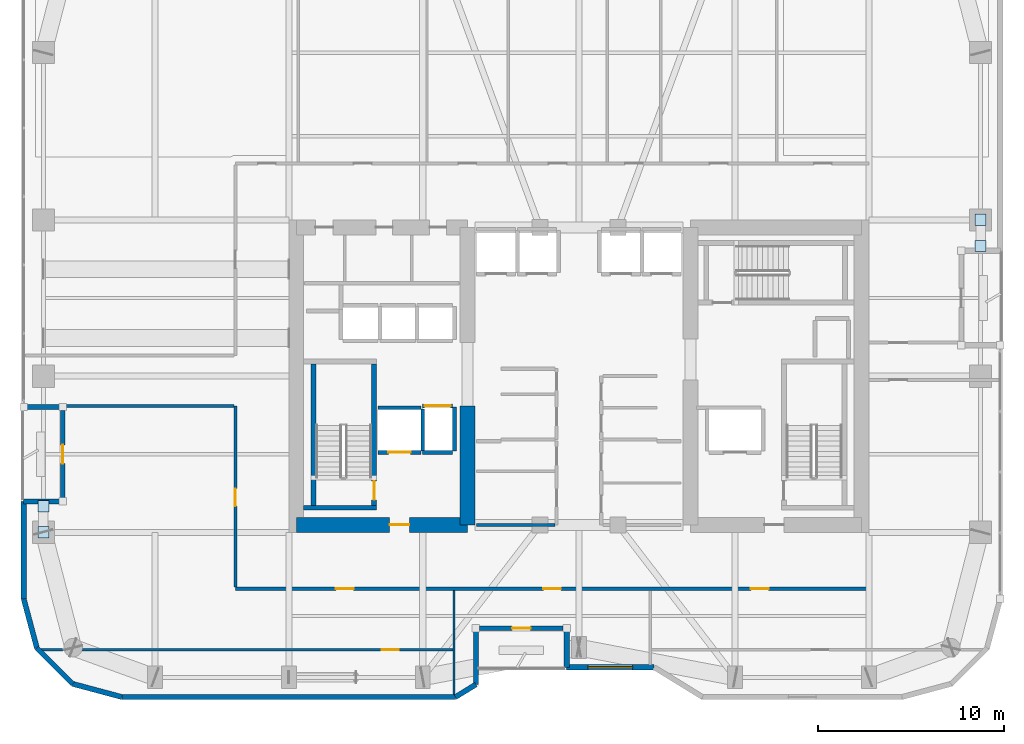
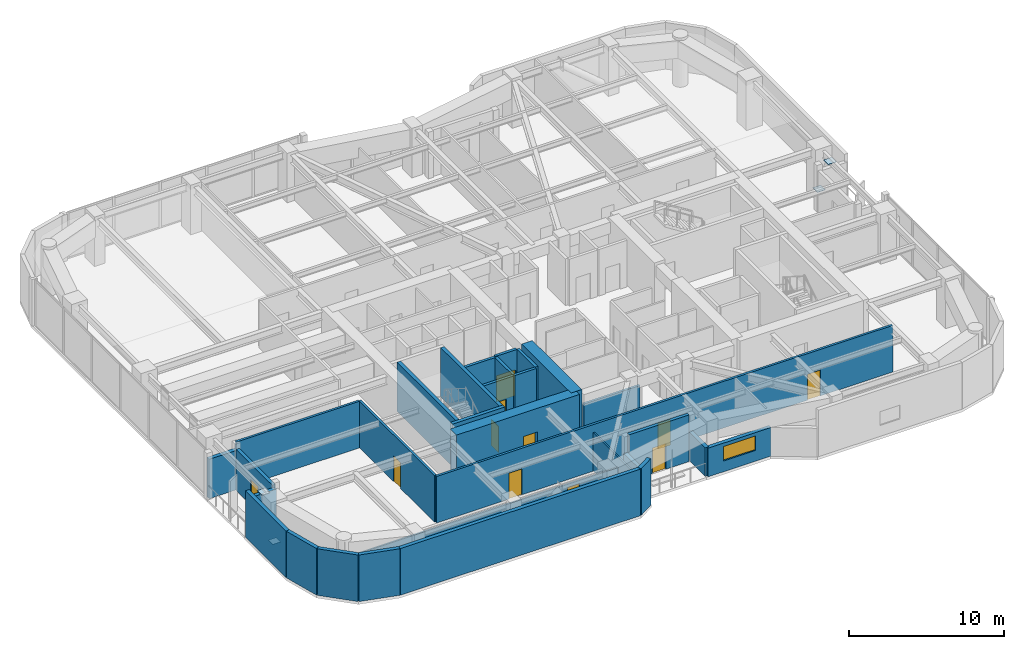
# One storey, part 24 of 30: 30 walls, 11 doors, 4 plates, 1 window, 12 openings.
"""IFC4 building model written with IfcOpenShell, lengths in metres."""

from ifc_helpers import new_model, si_unit, direction, frame, frame_2d, origin, origin_2d, place, context, subcontext, project, spatial, rectangle, extrude, material, layer, layer_set, type_object, element, fill, save


model = new_model("IFC4")

# Units and contexts
model_context = context("Model", 3, precision=1e-05, world=origin(), true_north=direction((0.0, 1.0)))
body_context = subcontext(model_context, "Body", "Model", "MODEL_VIEW")
ifc_project = project(units=[si_unit("LENGTHUNIT", "METRE"), si_unit("AREAUNIT", "SQUARE_METRE"), si_unit("VOLUMEUNIT", "CUBIC_METRE"), si_unit("PLANEANGLEUNIT", "RADIAN"), si_unit("MASSUNIT", "GRAM", prefix="KILO")], contexts=[model_context])

# Site, building, storey
site_placement = place(None, origin())
site = spatial("IfcSite", under=ifc_project, at=site_placement, CompositionType="ELEMENT")
building_placement = place(site_placement, origin())
building = spatial("IfcBuilding", under=site, at=building_placement, Name="Kiyonajd Concourse Tower", CompositionType="ELEMENT")
storey_placement = place(building_placement, frame((0.0, 0.0, 177.89990234375)))
storey = spatial("IfcBuildingStorey", under=building, at=storey_placement, Name="L45", CompositionType="ELEMENT", Elevation=177.89990234375)

# Plates
ifc_material_1 = material(Name="Steel ASTM A572 Grade 50", Category="steel")
ifc_layer_1 = layer(ifc_material_1, 0.028076171875)
ifc_layer_set_1 = layer_set([ifc_layer_1], Name="Steel ASTM A572 Grade 50")
plate_type = type_object("IfcPlateType", Name="PL-CAP-450", PredefinedType="USERDEFINED", material=ifc_layer_set_1)
for number, where, z_axis, x_axis, name in (
    (1, (19.199951171875, 27.595458984375, 0.27587890625), (0.0, 0.0, 1.0), (1.0, 0.0, 0.0), "L45 Hollow Brace End Cap Plate PBW"),
    (2, (19.199951171875, 29.004638671875, 3.326171875), (0.0, 0.0, 1.0), (1.0, 0.0, 0.0), "L45 Hollow Brace Top Cap Plate PBW"),
    (3, (69.60009765625, 44.404541015625, 0.27587890625), (0.0, 0.0, 1.0), (1.0, 0.0, 0.0), "L45 Hollow Brace End Cap Plate PBE"),
    (4, (69.60009765625, 42.995361328125, 3.326171875), (0.0, 0.0, 1.0), (1.0, 0.0, 0.0), "L45 Hollow Brace Top Cap Plate PBE"),
):
    element("IfcPlate", number, at=place(storey_placement, frame(where, z_axis=z_axis, x_axis=x_axis)), inside=storey, type_object=plate_type, Name=name, ObjectType="CAP PLATE", PredefinedType="USERDEFINED", context=body_context, shape_type="SweptSolid", body=[
        extrude(rectangle(XDim=0.60791015625, YDim=0.60791015625, at=origin_2d()), origin(), (0.0, 0.0, 1.0), 0.028076171875),
    ])

# Wall
ifc_material_2 = material(Name="Concrete C70/85", Category="concrete")
ifc_layer_2 = layer(ifc_material_2, 0.800048828125)
ifc_layer_set_2 = layer_set([ifc_layer_2], Name="Concrete C70/85")
wall_type_1 = type_object("IfcWallType", Name="WL-CORE-800", PredefinedType="SHEAR", material=ifc_layer_set_2)
wall_1_placement = place(storey_placement, frame((42.0, 28.0, 0.0), z_axis=(0.0, 0.0, 1.0), x_axis=(0.0, 1.0, 0.0)))
element("IfcWall", 5, at=wall_1_placement, inside=storey, type_object=wall_type_1, Name="L45 West Core Inner South Shear Wall", PredefinedType="SHEAR", context=body_context, shape_type="SweptSolid", body=[
    extrude(rectangle(XDim=6.39990234375, YDim=0.800048828125, at=frame_2d((3.199951171875, 0.0))), origin(), (0.0, 0.0, 1.0), 3.900146484375),
])

# Wall, opening, door
wall_2_placement = place(storey_placement, frame((32.800048828125, 28.0, 0.0), z_axis=(0.0, 0.0, 1.0), x_axis=(1.0, 0.0, 0.0)))
wall_2 = element("IfcWall", 6, at=wall_2_placement, inside=storey, type_object=wall_type_1, Name="L45 West Core South Shear Wall", PredefinedType="SHEAR", context=body_context, shape_type="SweptSolid", body=[
    extrude(rectangle(XDim=9.199951171875, YDim=0.800048828125, at=frame_2d((4.60009765625, 0.0))), origin(), (0.0, 0.0, 1.0), 3.900146484375),
])
opening_1_placement = place(wall_2_placement, frame((5.02490234375, 0.0, 0.0)))
opening_1 = element("IfcOpeningElement", 7, at=opening_1_placement, cuts=wall_2, Name="Opening DF5", PredefinedType="OPENING", context=body_context, shape_type="SweptSolid", body=[
    extrude(rectangle(XDim=1.050048828125, YDim=2.0400390625, at=frame_2d((0.52490234375, 1.02001953125))), frame((0.0, 0.409912109375, 0.0), z_axis=(0.0, -1.0, 0.0), x_axis=(1.0, 0.0, 0.0)), (0.0, 0.0, 1.0), 0.820068359375),
])
ifc_material_3 = material(Name="Brushed Stainless Steel Cab Assembly", Category="steel")
door_type_1 = type_object("IfcDoorType", Name="DR-FD45-1050", OperationType="NOTDEFINED", PredefinedType="DOOR", material=ifc_material_3)
door_1_placement = place(opening_1_placement, origin())
door_1 = element("IfcDoor", 8, at=door_1_placement, inside=storey, type_object=door_type_1, Name="L45 Firefighting Lift Lobby W Smoke Door", OperationType="SINGLE_SWING_LEFT", OverallHeight=2.0400390625, OverallWidth=1.050048828125, PredefinedType="DOOR", context=body_context, shape_type="SweptSolid", body=[
    extrude(rectangle(XDim=1.050048828125, YDim=2.0400390625, at=frame_2d((0.52490234375, 1.02001953125))), frame((0.0, 0.02490234375, 0.0), z_axis=(0.0, -1.0, 0.0), x_axis=(1.0, 0.0, 0.0)), (0.0, 0.0, 1.0), 0.050048828125),
])
fill(opening_1, door_1)

# Walls
ifc_material_4 = material(Name="Precast concrete C50/60", Category="concrete")
ifc_layer_3 = layer(ifc_material_4, 0.280029296875)
ifc_layer_set_3 = layer_set([ifc_layer_3], Name="Precast concrete C50/60")
wall_type_2 = type_object("IfcWallType", Name="WL-EXT-280", PredefinedType="SOLIDWALL", material=ifc_layer_set_3)
wall_3_placement = place(storey_placement, frame((18.848388671875, 21.37255859375, 0.0), z_axis=(0.0, 0.0, 1.0), x_axis=(-0.258672222976, 0.9659651552, 0.0)))
element("IfcWall", 9, at=wall_3_placement, inside=storey, type_object=wall_type_2, Name="L45 Exterior Concrete Frame Wall 00", PredefinedType="SOLIDWALL", context=body_context, shape_type="SweptSolid", body=[
    extrude(rectangle(XDim=2.739013671875, YDim=0.280029296875, at=frame_2d((1.36962890625, 0.0))), origin(), (0.0, 0.0, 1.0), 3.68017578125),
])
wall_4_placement = place(storey_placement, frame((18.139892578125, 24.018310546875, 0.0), z_axis=(0.0, 0.0, 1.0), x_axis=(0.0, 1.0, 0.0)))
element("IfcWall", 10, at=wall_4_placement, inside=storey, type_object=wall_type_2, Name="L45 Exterior Concrete Frame Wall 01", PredefinedType="SOLIDWALL", context=body_context, shape_type="SweptSolid", body=[
    extrude(rectangle(XDim=5.24169921875, YDim=0.280029296875, at=frame_2d((2.620849609375, 0.0))), origin(), (0.0, 0.0, 1.0), 3.68017578125),
])
for number, where, z_axis, x_axis, name in (
    (11, (18.139892578125, 29.260009765625, 0.0), (0.0, 0.0, 1.0), (1.0, 0.0, 0.0), "L45 Exterior Concrete Frame Wall 02"),
    (12, (20.239990234375, 34.340087890625, 0.0), (0.0, 0.0, 1.0), (-1.0, 0.0, 0.0), "L45 Exterior Concrete Frame Wall 04"),
):
    element("IfcWall", number, at=place(storey_placement, frame(where, z_axis=z_axis, x_axis=x_axis)), inside=storey, type_object=wall_type_2, Name=name, PredefinedType="SOLIDWALL", context=body_context, shape_type="SweptSolid", body=[
        extrude(rectangle(XDim=2.10009765625, YDim=0.280029296875, at=frame_2d((1.050048828125, 0.0))), origin(), (0.0, 0.0, 1.0), 3.1162109375),
    ])

# Wall, opening, window
wall_5_placement = place(storey_placement, frame((52.03955078125, 20.340087890625, 0.0), z_axis=(0.0, 0.0, 1.0), x_axis=(-1.0, 0.0, 0.0)))
wall_5 = element("IfcWall", 13, at=wall_5_placement, inside=storey, type_object=wall_type_2, Name="L45 Exterior Concrete Frame Wall 30", PredefinedType="SOLIDWALL", context=body_context, shape_type="SweptSolid", body=[
    extrude(rectangle(XDim=4.699462890625, YDim=0.280029296875, at=frame_2d((2.349609375, 0.0))), origin(), (0.0, 0.0, 1.0), 2.26513671875),
])
opening_2_placement = place(wall_5_placement, frame((1.155029296875, 0.0, 0.85009765625)))
opening_2 = element("IfcOpeningElement", 14, at=opening_2_placement, cuts=wall_5, Name="Opening WN4", PredefinedType="OPENING", context=body_context, shape_type="SweptSolid", body=[
    extrude(rectangle(XDim=2.39990234375, YDim=1.14990234375, at=frame_2d((1.199951171875, 0.574951171875))), frame((0.0, 0.14990234375, 0.0), z_axis=(0.0, -1.0, 0.0), x_axis=(1.0, 0.0, 0.0)), (0.0, 0.0, 1.0), 0.300048828125),
])
ifc_material_5 = material(Name="Double Low-E Insulated Glass", Category="glass")
window_type = type_object("IfcWindowType", Name="WN-VIS-2400x1150", PartitioningType="SINGLE_PANEL", PredefinedType="WINDOW", material=ifc_material_5)
window_placement = place(opening_2_placement, origin())
window = element("IfcWindow", 15, at=window_placement, inside=storey, type_object=window_type, Name="L45 Modular Facade Vision Window 30", OverallHeight=1.14990234375, OverallWidth=2.39990234375, PartitioningType="SINGLE_PANEL", PredefinedType="WINDOW", context=body_context, shape_type="SweptSolid", body=[
    extrude(rectangle(XDim=2.39990234375, YDim=1.14990234375, at=frame_2d((1.199951171875, 0.574951171875))), frame((0.0, 0.030029296875, 0.0), z_axis=(0.0, -1.0, 0.0), x_axis=(1.0, 0.0, 0.0)), (0.0, 0.0, 1.0), 0.06005859375),
])
fill(opening_2, window)

# Walls
wall_6_placement = place(storey_placement, frame((47.340087890625, 20.340087890625, 0.0), z_axis=(0.0, 0.0, 1.0), x_axis=(0.0, 1.0, 0.0)))
element("IfcWall", 16, at=wall_6_placement, inside=storey, type_object=wall_type_2, Name="L45 Exterior Concrete Frame Wall 31", PredefinedType="SOLIDWALL", context=body_context, shape_type="SweptSolid", body=[
    extrude(rectangle(XDim=2.099853515625, YDim=0.280029296875, at=frame_2d((1.0498046875, 0.0))), origin(), (0.0, 0.0, 1.0), 2.26513671875),
])
wall_7_placement = place(storey_placement, frame((42.4599609375, 22.43994140625, 0.0), z_axis=(0.0, 0.0, 1.0), x_axis=(0.0, -1.0, 0.0)))
element("IfcWall", 17, at=wall_7_placement, inside=storey, type_object=wall_type_2, Name="L45 Exterior Concrete Frame Wall 33", PredefinedType="SOLIDWALL", context=body_context, shape_type="SweptSolid", body=[
    extrude(rectangle(XDim=3.023681640625, YDim=0.280029296875, at=frame_2d((1.51171875, 0.0))), origin(), (0.0, 0.0, 1.0), 2.26513671875),
])
wall_8_placement = place(storey_placement, frame((42.4599609375, 19.416259765625, 0.0), z_axis=(0.0, 0.0, 1.0), x_axis=(-0.851801140441, -0.523865266212, 0.0)))
element("IfcWall", 18, at=wall_8_placement, inside=storey, type_object=wall_type_2, Name="L45 Exterior Concrete Frame Wall 34", PredefinedType="SOLIDWALL", context=body_context, shape_type="SweptSolid", body=[
    extrude(rectangle(XDim=1.291015625, YDim=0.280029296875, at=frame_2d((0.6455078125, 0.0))), origin(), (0.0, 0.0, 1.0), 3.68017578125),
])
wall_9_placement = place(storey_placement, frame((41.3603515625, 18.739990234375, 0.0), z_axis=(0.0, 0.0, 1.0), x_axis=(-1.0, 0.0, 0.0)))
element("IfcWall", 19, at=wall_9_placement, inside=storey, type_object=wall_type_2, Name="L45 Exterior Concrete Frame Wall 35", PredefinedType="SOLIDWALL", context=body_context, shape_type="SweptSolid", body=[
    extrude(rectangle(XDim=17.94189453125, YDim=0.280029296875, at=frame_2d((8.970947265625, 0.0))), origin(), (0.0, 0.0, 1.0), 3.68017578125),
])
wall_10_placement = place(storey_placement, frame((23.41845703125, 18.739990234375, 0.0), z_axis=(0.0, 0.0, 1.0), x_axis=(-0.965971118627, 0.258649952598, 0.0)))
element("IfcWall", 20, at=wall_10_placement, inside=storey, type_object=wall_type_2, Name="L45 Exterior Concrete Frame Wall 36", PredefinedType="SOLIDWALL", context=body_context, shape_type="SweptSolid", body=[
    extrude(rectangle(XDim=2.7392578125, YDim=0.280029296875, at=frame_2d((1.36962890625, 0.0))), origin(), (0.0, 0.0, 1.0), 3.68017578125),
])
wall_11_placement = place(storey_placement, frame((20.7724609375, 19.448486328125, 0.0), z_axis=(0.0, 0.0, 1.0), x_axis=(-0.707106781187, 0.707106781187, 0.0)))
element("IfcWall", 21, at=wall_11_placement, inside=storey, type_object=wall_type_2, Name="L45 Exterior Concrete Frame Wall 37", PredefinedType="SOLIDWALL", context=body_context, shape_type="SweptSolid", body=[
    extrude(rectangle(XDim=2.720947265625, YDim=0.280029296875, at=frame_2d((1.3603515625, 0.0))), origin(), (0.0, 0.0, 1.0), 3.68017578125),
])

# Wall, opening, door
ifc_layer_4 = layer(ifc_material_4, 0.239990234375)
ifc_layer_set_4 = layer_set([ifc_layer_4], Name="Precast concrete C50/60")
wall_type_3 = type_object("IfcWallType", Name="WL-LOG-240", PredefinedType="SOLIDWALL", material=ifc_layer_set_4)
wall_12_placement = place(storey_placement, frame((20.239990234375, 29.455078125, 0.0), z_axis=(0.0, 0.0, 1.0), x_axis=(0.0, 1.0, 0.0)))
wall_12 = element("IfcWall", 22, at=wall_12_placement, inside=storey, type_object=wall_type_3, Name="L45 Recessed Loggia Thermal Wall LOG-W", PredefinedType="SOLIDWALL", context=body_context, shape_type="SweptSolid", body=[
    extrude(rectangle(XDim=4.68994140625, YDim=0.239990234375, at=frame_2d((2.344970703125, 0.0))), origin(), (0.0, 0.0, 1.0), 3.248046875),
])
opening_3_placement = place(wall_12_placement, frame((1.844970703125, 0.0, 0.0)))
opening_3 = element("IfcOpeningElement", 23, at=opening_3_placement, cuts=wall_12, Name="Opening DL1", PredefinedType="OPENING", context=body_context, shape_type="SweptSolid", body=[
    extrude(rectangle(XDim=1.0, YDim=2.02001953125, at=frame_2d((0.5, 1.010009765625))), frame((0.0, 0.1298828125, 0.0), z_axis=(0.0, -1.0, 0.0), x_axis=(1.0, 0.0, 0.0)), (0.0, 0.0, 1.0), 0.260009765625),
])
ifc_material_6 = material(Name="Thermally Broken Anodised Aluminium", Category="aluminium")
door_type_2 = type_object("IfcDoorType", Name="DR-LOG-1000", OperationType="NOTDEFINED", PredefinedType="DOOR", material=ifc_material_6)
door_2_placement = place(opening_3_placement, origin())
door_2 = element("IfcDoor", 24, at=door_2_placement, inside=storey, type_object=door_type_2, Name="L45 Engawa Loggia Access Door LOG-W", OperationType="SINGLE_SWING_LEFT", OverallHeight=2.02001953125, OverallWidth=1.0, PredefinedType="DOOR", context=body_context, shape_type="SweptSolid", body=[
    extrude(rectangle(XDim=1.0, YDim=2.02001953125, at=frame_2d((0.5, 1.010009765625))), frame((0.0, 0.02490234375, 0.0), z_axis=(0.0, -1.0, 0.0), x_axis=(1.0, 0.0, 0.0)), (0.0, 0.0, 1.0), 0.050048828125),
])
fill(opening_3, door_2)

wall_13_placement = place(storey_placement, frame((47.14501953125, 22.43994140625, 0.0), z_axis=(0.0, 0.0, 1.0), x_axis=(-1.0, 0.0, 0.0)))
wall_13 = element("IfcWall", 25, at=wall_13_placement, inside=storey, type_object=wall_type_3, Name="L45 Recessed Loggia Thermal Wall LOG-S", PredefinedType="SOLIDWALL", context=body_context, shape_type="SweptSolid", body=[
    extrude(rectangle(XDim=4.489990234375, YDim=0.239990234375, at=frame_2d((2.2451171875, 0.0))), origin(), (0.0, 0.0, 1.0), 3.68017578125),
])
opening_4_placement = place(wall_13_placement, frame((1.7451171875, 0.0, 0.0)))
opening_4 = element("IfcOpeningElement", 26, at=opening_4_placement, cuts=wall_13, Name="Opening DL1", PredefinedType="OPENING", context=body_context, shape_type="SweptSolid", body=[
    extrude(rectangle(XDim=1.0, YDim=2.02001953125, at=frame_2d((0.5, 1.010009765625))), frame((0.0, 0.1298828125, 0.0), z_axis=(0.0, -1.0, 0.0), x_axis=(1.0, 0.0, 0.0)), (0.0, 0.0, 1.0), 0.260009765625),
])
door_3_placement = place(opening_4_placement, origin())
door_3 = element("IfcDoor", 27, at=door_3_placement, inside=storey, type_object=door_type_2, Name="L45 Engawa Loggia Access Door LOG-S", OperationType="SINGLE_SWING_RIGHT", OverallHeight=2.02001953125, OverallWidth=1.0, PredefinedType="DOOR", context=body_context, shape_type="SweptSolid", body=[
    extrude(rectangle(XDim=1.0, YDim=2.02001953125, at=frame_2d((0.5, 1.010009765625))), frame((0.0, 0.02490234375, 0.0), z_axis=(0.0, -1.0, 0.0), x_axis=(1.0, 0.0, 0.0)), (0.0, 0.0, 1.0), 0.050048828125),
])
fill(opening_4, door_3)

ifc_material_7 = material(Name="Gypsum Board on Cold-Formed Steel Stud", Category="steel")
ifc_layer_5 = layer(ifc_material_7, 0.125)
ifc_layer_set_5 = layer_set([ifc_layer_5], Name="Gypsum Board on Cold-Formed Steel Stud")
wall_type_4 = type_object("IfcWallType", Name="WL-PART-125", PredefinedType="PARTITIONING", material=ifc_layer_set_5)
wall_14_placement = place(storey_placement, frame((19.077880859375, 21.280029296875, 0.0), z_axis=(0.0, 0.0, 1.0), x_axis=(1.0, 0.0, 0.0)))
wall_14 = element("IfcWall", 28, at=wall_14_placement, inside=storey, type_object=wall_type_4, Name="L45 Interior Partition Wall", PredefinedType="PARTITIONING", context=body_context, shape_type="SweptSolid", body=[
    extrude(rectangle(XDim=22.2021484375, YDim=0.125, at=frame_2d((11.10107421875, 0.0))), origin(), (0.0, 0.0, 1.0), 2.26513671875),
])
opening_5_placement = place(wall_14_placement, frame((18.322021484375, 0.0, 0.0)))
opening_5 = element("IfcOpeningElement", 29, at=opening_5_placement, cuts=wall_14, Name="Opening DI2", PredefinedType="OPENING", context=body_context, shape_type="SweptSolid", body=[
    extrude(rectangle(XDim=0.89990234375, YDim=2.02001953125, at=frame_2d((0.449951171875, 1.010009765625))), frame((0.0, 0.072509765625, 0.0), z_axis=(0.0, -1.0, 0.0), x_axis=(1.0, 0.0, 0.0)), (0.0, 0.0, 1.0), 0.14501953125),
])
ifc_material_8 = material(Name="Natural Oak Acoustic Timber Veneer", Category="wood")
door_type_3 = type_object("IfcDoorType", Name="DR-INT-900", OperationType="NOTDEFINED", PredefinedType="DOOR", material=ifc_material_8)
door_4_placement = place(opening_5_placement, origin())
door_4 = element("IfcDoor", 30, at=door_4_placement, inside=storey, type_object=door_type_3, Name="L45 Interior Door", OperationType="SINGLE_SWING_RIGHT", OverallHeight=2.02001953125, OverallWidth=0.89990234375, PredefinedType="DOOR", context=body_context, shape_type="SweptSolid", body=[
    extrude(rectangle(XDim=0.89990234375, YDim=2.02001953125, at=frame_2d((0.449951171875, 1.010009765625))), frame((0.0, 0.02490234375, 0.0), z_axis=(0.0, -1.0, 0.0), x_axis=(1.0, 0.0, 0.0)), (0.0, 0.0, 1.0), 0.050048828125),
])
fill(opening_5, door_4)

# Wall
wall_15_placement = place(storey_placement, frame((41.280029296875, 18.875, 0.0), z_axis=(0.0, 0.0, 1.0), x_axis=(0.0, 1.0, 0.0)))
element("IfcWall", 31, at=wall_15_placement, inside=storey, type_object=wall_type_4, Name="L45 Interior Partition Wall", PredefinedType="PARTITIONING", context=body_context, shape_type="SweptSolid", body=[
    extrude(rectangle(XDim=5.597900390625, YDim=0.125, at=frame_2d((2.798828125, 0.0))), origin(), (0.0, 0.0, 1.0), 3.043212890625),
])

# Wall, opening, door
ifc_layer_6 = layer(ifc_material_7, 0.2099609375)
ifc_layer_set_6 = layer_set([ifc_layer_6], Name="Gypsum Board on Cold-Formed Steel Stud")
wall_type_5 = type_object("IfcWallType", Name="WL-SHAFT-210", PredefinedType="PARTITIONING", material=ifc_layer_set_6)
wall_16_placement = place(storey_placement, frame((37.199951171875, 31.89990234375, 0.0), z_axis=(0.0, 0.0, 1.0), x_axis=(1.0, 0.0, 0.0)))
wall_16 = element("IfcWall", 32, at=wall_16_placement, inside=storey, type_object=wall_type_5, Name="L45 Shaft Enclosure Wall", PredefinedType="PARTITIONING", context=body_context, shape_type="SweptSolid", body=[
    extrude(rectangle(XDim=2.300048828125, YDim=0.2099609375, at=frame_2d((1.14990234375, 0.0))), origin(), (0.0, 0.0, 1.0), 3.68017578125),
])
opening_6_placement = place(wall_16_placement, frame((0.550048828125, 0.0, 0.0)))
opening_6 = element("IfcOpeningElement", 33, at=opening_6_placement, cuts=wall_16, Name="Opening LD2", PredefinedType="OPENING", context=body_context, shape_type="SweptSolid", body=[
    extrude(rectangle(XDim=1.199951171875, YDim=2.0400390625, at=frame_2d((0.60009765625, 1.02001953125))), frame((0.0, 0.114990234375, 0.0), z_axis=(0.0, -1.0, 0.0), x_axis=(1.0, 0.0, 0.0)), (0.0, 0.0, 1.0), 0.22998046875),
])
door_type_4 = type_object("IfcDoorType", Name="DR-LD-1200", OperationType="DOUBLE_DOOR_SLIDING", PredefinedType="DOOR", material=ifc_material_3)
door_5_placement = place(opening_6_placement, origin())
door_5 = element("IfcDoor", 34, at=door_5_placement, inside=storey, type_object=door_type_4, Name="L45 Lift FFL1 Sliding Landing Door", OperationType="DOUBLE_DOOR_SLIDING", OverallHeight=2.0400390625, OverallWidth=1.199951171875, PredefinedType="DOOR", context=body_context, shape_type="SweptSolid", body=[
    extrude(rectangle(XDim=1.199951171875, YDim=2.0400390625, at=frame_2d((0.60009765625, 1.02001953125))), frame((0.0, 0.02490234375, 0.0), z_axis=(0.0, -1.0, 0.0), x_axis=(1.0, 0.0, 0.0)), (0.0, 0.0, 1.0), 0.050048828125),
])
fill(opening_6, door_5)

# Walls
wall_17_placement = place(storey_placement, frame((37.199951171875, 34.300048828125, 0.0), z_axis=(0.0, 0.0, 1.0), x_axis=(1.0, 0.0, 0.0)))
element("IfcWall", 35, at=wall_17_placement, inside=storey, type_object=wall_type_5, Name="L45 Shaft Enclosure Wall", PredefinedType="PARTITIONING", context=body_context, shape_type="SweptSolid", body=[
    extrude(rectangle(XDim=2.300048828125, YDim=0.2099609375, at=frame_2d((1.14990234375, 0.0))), origin(), (0.0, 0.0, 1.0), 3.68017578125),
])
wall_18_placement = place(storey_placement, frame((39.60009765625, 31.9599609375, 0.0), z_axis=(0.0, 0.0, 1.0), x_axis=(0.0, 1.0, 0.0)))
element("IfcWall", 36, at=wall_18_placement, inside=storey, type_object=wall_type_5, Name="L45 Shaft Enclosure Wall", PredefinedType="PARTITIONING", context=body_context, shape_type="SweptSolid", body=[
    extrude(rectangle(XDim=2.280029296875, YDim=0.2099609375, at=frame_2d((1.14013671875, 0.0))), origin(), (0.0, 0.0, 1.0), 3.68017578125),
])

# Wall, opening, door
wall_19_placement = place(storey_placement, frame((39.60009765625, 34.39990234375, 0.0), z_axis=(0.0, 0.0, 1.0), x_axis=(1.0, 0.0, 0.0)))
wall_19 = element("IfcWall", 37, at=wall_19_placement, inside=storey, type_object=wall_type_5, Name="L45 Shaft Enclosure Wall", PredefinedType="PARTITIONING", context=body_context, shape_type="SweptSolid", body=[
    extrude(rectangle(XDim=1.599853515625, YDim=0.2099609375, at=frame_2d((0.7998046875, 0.0))), origin(), (0.0, 0.0, 1.0), 3.68017578125),
])
opening_7_placement = place(wall_19_placement, frame((0.10009765625, 0.0, 0.0)))
opening_7 = element("IfcOpeningElement", 38, at=opening_7_placement, cuts=wall_19, Name="Opening LD3", PredefinedType="OPENING", context=body_context, shape_type="SweptSolid", body=[
    extrude(rectangle(XDim=1.39990234375, YDim=2.06005859375, at=frame_2d((0.699951171875, 1.030029296875))), frame((0.0, 0.114990234375, 0.0), z_axis=(0.0, -1.0, 0.0), x_axis=(1.0, 0.0, 0.0)), (0.0, 0.0, 1.0), 0.22998046875),
])
door_type_5 = type_object("IfcDoorType", Name="DR-LD-1400", OperationType="DOUBLE_DOOR_SLIDING", PredefinedType="DOOR", material=ifc_material_3)
door_6_placement = place(opening_7_placement, origin())
door_6 = element("IfcDoor", 39, at=door_6_placement, inside=storey, type_object=door_type_5, Name="L45 Lift SVL1 Sliding Landing Door", OperationType="DOUBLE_DOOR_SLIDING", OverallHeight=2.06005859375, OverallWidth=1.39990234375, PredefinedType="DOOR", context=body_context, shape_type="SweptSolid", body=[
    extrude(rectangle(XDim=1.39990234375, YDim=2.06005859375, at=frame_2d((0.699951171875, 1.030029296875))), frame((0.0, 0.02490234375, 0.0), z_axis=(0.0, -1.0, 0.0), x_axis=(1.0, 0.0, 0.0)), (0.0, 0.0, 1.0), 0.050048828125),
])
fill(opening_7, door_6)

# Walls
wall_20_placement = place(storey_placement, frame((39.60009765625, 31.89990234375, 0.0), z_axis=(0.0, 0.0, 1.0), x_axis=(1.0, 0.0, 0.0)))
element("IfcWall", 40, at=wall_20_placement, inside=storey, type_object=wall_type_5, Name="L45 Shaft Enclosure Wall", PredefinedType="PARTITIONING", context=body_context, shape_type="SweptSolid", body=[
    extrude(rectangle(XDim=1.599853515625, YDim=0.2099609375, at=frame_2d((0.7998046875, 0.0))), origin(), (0.0, 0.0, 1.0), 3.68017578125),
])
wall_21_placement = place(storey_placement, frame((41.300048828125, 31.9599609375, 0.0), z_axis=(0.0, 0.0, 1.0), x_axis=(0.0, 1.0, 0.0)))
element("IfcWall", 41, at=wall_21_placement, inside=storey, type_object=wall_type_5, Name="L45 Shaft Enclosure Wall", PredefinedType="PARTITIONING", context=body_context, shape_type="SweptSolid", body=[
    extrude(rectangle(XDim=2.380126953125, YDim=0.2099609375, at=frame_2d((1.18994140625, 0.0))), origin(), (0.0, 0.0, 1.0), 3.68017578125),
])
ifc_layer_7 = layer(ifc_material_7, 0.169921875)
ifc_layer_set_7 = layer_set([ifc_layer_7], Name="Gypsum Board on Cold-Formed Steel Stud")
wall_type_6 = type_object("IfcWallType", Name="WL-SMK-170", PredefinedType="PARTITIONING", material=ifc_layer_set_7)
wall_22_placement = place(storey_placement, frame((42.5, 28.0, 0.0), z_axis=(0.0, 0.0, 1.0), x_axis=(1.0, 0.0, 0.0)))
element("IfcWall", 42, at=wall_22_placement, inside=storey, type_object=wall_type_6, Name="L45 Interior Partition Wall", PredefinedType="PARTITIONING", context=body_context, shape_type="SweptSolid", body=[
    extrude(rectangle(XDim=4.212890625, YDim=0.169921875, at=frame_2d((2.1064453125, 0.0))), origin(), (0.0, 0.0, 1.0), 2.76513671875),
])

# Wall, openings, doors
wall_23_placement = place(storey_placement, frame((29.52490234375, 24.56005859375, 0.0), z_axis=(0.0, 0.0, 1.0), x_axis=(1.0, 0.0, 0.0)))
wall_23 = element("IfcWall", 43, at=wall_23_placement, inside=storey, type_object=wall_type_6, Name="L45 Interior Partition Wall", PredefinedType="PARTITIONING", context=body_context, shape_type="SweptSolid", body=[
    extrude(rectangle(XDim=34.0751953125, YDim=0.169921875, at=frame_2d((17.03759765625, 0.0))), origin(), (0.0, 0.0, 1.0), 3.68017578125),
])
opening_8_placement = place(wall_23_placement, frame((5.403076171875, 0.0, 0.0)))
opening_8 = element("IfcOpeningElement", 44, at=opening_8_placement, cuts=wall_23, Name="Opening DI1", PredefinedType="OPENING", context=body_context, shape_type="SweptSolid", body=[
    extrude(rectangle(XDim=0.949951171875, YDim=2.0400390625, at=frame_2d((0.47509765625, 1.02001953125))), frame((0.0, 0.094970703125, 0.0), z_axis=(0.0, -1.0, 0.0), x_axis=(1.0, 0.0, 0.0)), (0.0, 0.0, 1.0), 0.18994140625),
])
opening_9_placement = place(wall_23_placement, frame((16.56005859375, 0.0, 0.0)))
opening_9 = element("IfcOpeningElement", 45, at=opening_9_placement, cuts=wall_23, Name="Opening DI1", PredefinedType="OPENING", context=body_context, shape_type="SweptSolid", body=[
    extrude(rectangle(XDim=0.949951171875, YDim=2.0400390625, at=frame_2d((0.47509765625, 1.02001953125))), frame((0.0, 0.094970703125, 0.0), z_axis=(0.0, -1.0, 0.0), x_axis=(1.0, 0.0, 0.0)), (0.0, 0.0, 1.0), 0.18994140625),
])
opening_10_placement = place(wall_23_placement, frame((27.719970703125, 0.0, 0.0)))
opening_10 = element("IfcOpeningElement", 46, at=opening_10_placement, cuts=wall_23, Name="Opening DI1", PredefinedType="OPENING", context=body_context, shape_type="SweptSolid", body=[
    extrude(rectangle(XDim=0.949951171875, YDim=2.0400390625, at=frame_2d((0.47509765625, 1.02001953125))), frame((0.0, 0.094970703125, 0.0), z_axis=(0.0, -1.0, 0.0), x_axis=(1.0, 0.0, 0.0)), (0.0, 0.0, 1.0), 0.18994140625),
])
door_type_6 = type_object("IfcDoorType", Name="DR-INT-950", OperationType="NOTDEFINED", PredefinedType="DOOR", material=ifc_material_8)
door_7_placement = place(opening_8_placement, origin())
door_7 = element("IfcDoor", 47, at=door_7_placement, inside=storey, type_object=door_type_6, Name="L45 Interior Door", OperationType="SINGLE_SWING_LEFT", OverallHeight=2.0400390625, OverallWidth=0.949951171875, PredefinedType="DOOR", context=body_context, shape_type="SweptSolid", body=[
    extrude(rectangle(XDim=0.949951171875, YDim=2.0400390625, at=frame_2d((0.47509765625, 1.02001953125))), frame((0.0, 0.02490234375, 0.0), z_axis=(0.0, -1.0, 0.0), x_axis=(1.0, 0.0, 0.0)), (0.0, 0.0, 1.0), 0.050048828125),
])
fill(opening_8, door_7)
door_8_placement = place(opening_9_placement, origin())
door_8 = element("IfcDoor", 48, at=door_8_placement, inside=storey, type_object=door_type_6, Name="L45 Interior Door", OperationType="SINGLE_SWING_RIGHT", OverallHeight=2.0400390625, OverallWidth=0.949951171875, PredefinedType="DOOR", context=body_context, shape_type="SweptSolid", body=[
    extrude(rectangle(XDim=0.949951171875, YDim=2.0400390625, at=frame_2d((0.47509765625, 1.02001953125))), frame((0.0, 0.02490234375, 0.0), z_axis=(0.0, -1.0, 0.0), x_axis=(1.0, 0.0, 0.0)), (0.0, 0.0, 1.0), 0.050048828125),
])
fill(opening_9, door_8)
door_9_placement = place(opening_10_placement, origin())
door_9 = element("IfcDoor", 49, at=door_9_placement, inside=storey, type_object=door_type_6, Name="L45 Interior Door", OperationType="SINGLE_SWING_RIGHT", OverallHeight=2.0400390625, OverallWidth=0.949951171875, PredefinedType="DOOR", context=body_context, shape_type="SweptSolid", body=[
    extrude(rectangle(XDim=0.949951171875, YDim=2.0400390625, at=frame_2d((0.47509765625, 1.02001953125))), frame((0.0, 0.02490234375, 0.0), z_axis=(0.0, -1.0, 0.0), x_axis=(1.0, 0.0, 0.0)), (0.0, 0.0, 1.0), 0.050048828125),
])
fill(opening_10, door_9)

# Wall, opening, door
wall_24_placement = place(storey_placement, frame((29.52490234375, 24.64697265625, 0.0), z_axis=(0.0, 0.0, 1.0), x_axis=(0.0, 1.0, 0.0)))
wall_24 = element("IfcWall", 50, at=wall_24_placement, inside=storey, type_object=wall_type_6, Name="L45 Interior Partition Wall", PredefinedType="PARTITIONING", context=body_context, shape_type="SweptSolid", body=[
    extrude(rectangle(XDim=9.7529296875, YDim=0.169921875, at=frame_2d((4.87646484375, 0.0))), origin(), (0.0, 0.0, 1.0), 3.68017578125),
])
opening_11_placement = place(wall_24_placement, frame((4.35791015625, 0.0, 0.0)))
opening_11 = element("IfcOpeningElement", 51, at=opening_11_placement, cuts=wall_24, Name="Opening DI1", PredefinedType="OPENING", context=body_context, shape_type="SweptSolid", body=[
    extrude(rectangle(XDim=0.949951171875, YDim=2.0400390625, at=frame_2d((0.47509765625, 1.02001953125))), frame((0.0, 0.094970703125, 0.0), z_axis=(0.0, -1.0, 0.0), x_axis=(1.0, 0.0, 0.0)), (0.0, 0.0, 1.0), 0.18994140625),
])
door_10_placement = place(opening_11_placement, origin())
door_10 = element("IfcDoor", 52, at=door_10_placement, inside=storey, type_object=door_type_6, Name="L45 Interior Door", OperationType="SINGLE_SWING_RIGHT", OverallHeight=2.0400390625, OverallWidth=0.949951171875, PredefinedType="DOOR", context=body_context, shape_type="SweptSolid", body=[
    extrude(rectangle(XDim=0.949951171875, YDim=2.0400390625, at=frame_2d((0.47509765625, 1.02001953125))), frame((0.0, 0.02490234375, 0.0), z_axis=(0.0, -1.0, 0.0), x_axis=(1.0, 0.0, 0.0)), (0.0, 0.0, 1.0), 0.050048828125),
])
fill(opening_11, door_10)

# Walls
wall_25_placement = place(storey_placement, frame((20.239990234375, 34.39990234375, 0.0), z_axis=(0.0, 0.0, 1.0), x_axis=(1.0, 0.0, 0.0)))
element("IfcWall", 53, at=wall_25_placement, inside=storey, type_object=wall_type_6, Name="L45 Interior Partition Wall", PredefinedType="PARTITIONING", context=body_context, shape_type="SweptSolid", body=[
    extrude(rectangle(XDim=9.197998046875, YDim=0.169921875, at=frame_2d((4.59912109375, 0.0))), origin(), (0.0, 0.0, 1.0), 3.68017578125),
])
ifc_material_9 = material(Name="Concrete C50/60", Category="concrete")
ifc_layer_8 = layer(ifc_material_9, 0.260009765625)
ifc_layer_set_8 = layer_set([ifc_layer_8], Name="Concrete C50/60")
wall_type_7 = type_object("IfcWallType", Name="WL-STAIR-260", PredefinedType="SHEAR", material=ifc_layer_set_8)
wall_26_placement = place(storey_placement, frame((33.199951171875, 28.919921875, 0.0), z_axis=(0.0, 0.0, 1.0), x_axis=(1.0, 0.0, 0.0)))
element("IfcWall", 54, at=wall_26_placement, inside=storey, type_object=wall_type_7, Name="L45 Stair ST1 Structural South Wall", PredefinedType="SHEAR", context=body_context, shape_type="SweptSolid", body=[
    extrude(rectangle(XDim=3.91015625, YDim=0.260009765625, at=frame_2d((1.955078125, 0.0))), origin(), (0.0, 0.0, 1.0), 3.900146484375),
])
wall_27_placement = place(storey_placement, frame((33.719970703125, 29.050048828125, 0.0), z_axis=(0.0, 0.0, 1.0), x_axis=(0.0, 1.0, 0.0)))
element("IfcWall", 55, at=wall_27_placement, inside=storey, type_object=wall_type_7, Name="L45 Stair ST1 Structural West Wall", PredefinedType="SHEAR", context=body_context, shape_type="SweptSolid", body=[
    extrude(rectangle(XDim=7.599853515625, YDim=0.260009765625, at=frame_2d((3.7998046875, 0.0))), origin(), (0.0, 0.0, 1.0), 3.900146484375),
])

# Wall, opening, door
wall_28_placement = place(storey_placement, frame((36.97998046875, 29.050048828125, 0.0), z_axis=(0.0, 0.0, 1.0), x_axis=(0.0, 1.0, 0.0)))
wall_28 = element("IfcWall", 56, at=wall_28_placement, inside=storey, type_object=wall_type_7, Name="L45 Stair ST1 Structural East Wall", PredefinedType="SHEAR", context=body_context, shape_type="SweptSolid", body=[
    extrude(rectangle(XDim=7.599853515625, YDim=0.260009765625, at=frame_2d((3.7998046875, 0.0))), origin(), (0.0, 0.0, 1.0), 3.900146484375),
])
opening_12_placement = place(wall_28_placement, frame((0.300048828125, 0.0, 0.0)))
opening_12 = element("IfcOpeningElement", 57, at=opening_12_placement, cuts=wall_28, Name="Opening DF1", PredefinedType="OPENING", context=body_context, shape_type="SweptSolid", body=[
    extrude(rectangle(XDim=1.0, YDim=2.0400390625, at=frame_2d((0.5, 1.02001953125))), frame((0.0, 0.139892578125, 0.0), z_axis=(0.0, -1.0, 0.0), x_axis=(1.0, 0.0, 0.0)), (0.0, 0.0, 1.0), 0.280029296875),
])
door_type_7 = type_object("IfcDoorType", Name="DR-FD90-1000", OperationType="NOTDEFINED", PredefinedType="DOOR", material=ifc_material_3)
door_11_placement = place(opening_12_placement, origin())
door_11 = element("IfcDoor", 58, at=door_11_placement, inside=storey, type_object=door_type_7, Name="L45 Stair ST1 FSAE Door", OperationType="SINGLE_SWING_LEFT", OverallHeight=2.0400390625, OverallWidth=1.0, PredefinedType="DOOR", context=body_context, shape_type="SweptSolid", body=[
    extrude(rectangle(XDim=1.0, YDim=2.0400390625, at=frame_2d((0.5, 1.02001953125))), frame((0.0, 0.02490234375, 0.0), z_axis=(0.0, -1.0, 0.0), x_axis=(1.0, 0.0, 0.0)), (0.0, 0.0, 1.0), 0.050048828125),
])
fill(opening_12, door_11)

save(model, "model.ifc")
